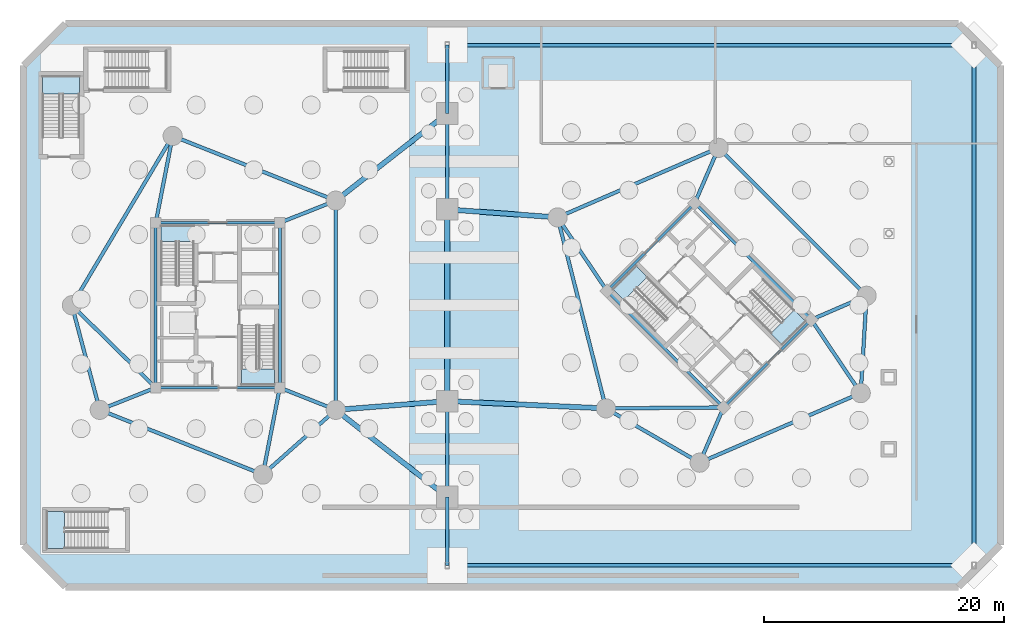
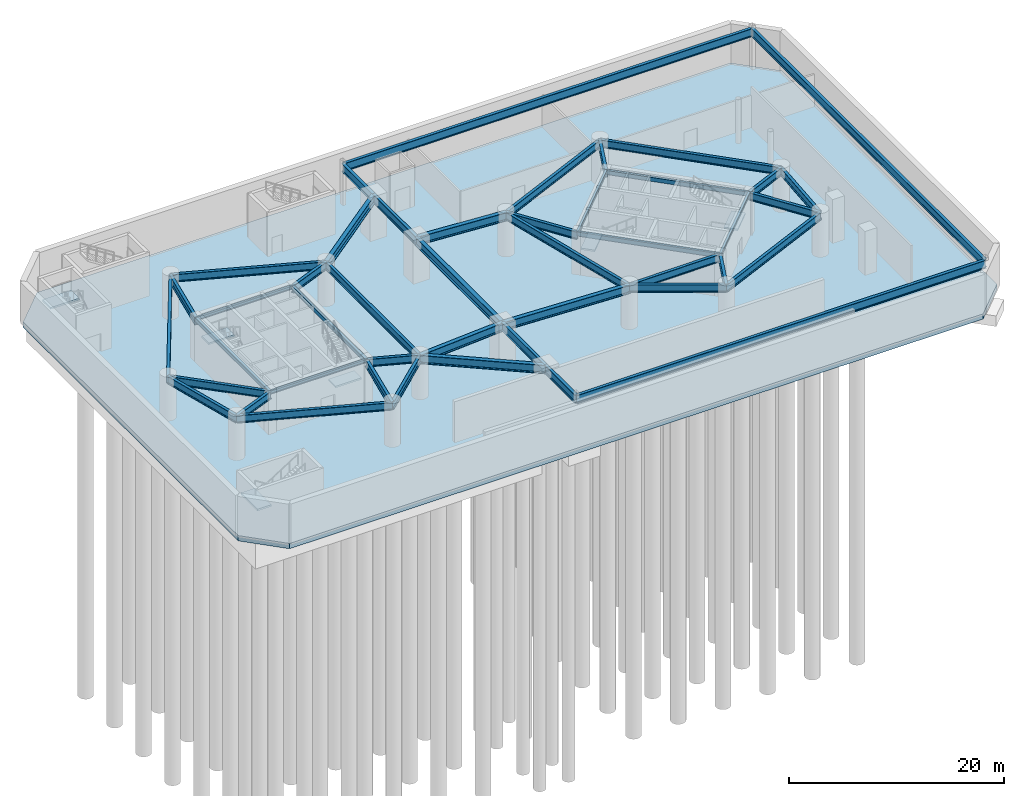
# One storey, part 4 of 15: 45 beams, 7 slabs, 6 elements without a shape of their own.
"""IFC4 building model written with IfcOpenShell, lengths in metres."""

import ifcopenshell
import ifcopenshell.guid

model = None  # the IFC model being written
_history = None  # IfcOwnerHistory: only IFC2X3 demands one
_inside = {}  # id of a spatial element -> (the spatial element, [elements in it])
_under = {}  # id of a project, library or spatial element -> (it, [spatial elements below it])
_declared = {}  # id of a project -> (the project, [libraries it declares])
_typed = {}  # id of a type object -> (the type object, [elements of that type])
_made_of = {}  # id of a material, layer set ... -> (it, [elements and type objects made of it])


def new_model(schema):
    """Start an empty IFC model of exactly this schema.

    Asked for "IFC4X3", IfcOpenShell would pick the latest addendum, in which some entities
    have other attributes; the version numbers below select the first issue.
    IFC2X3 requires an IfcOwnerHistory on every rooted entity: one is made here for all.
    """
    global model, _history
    if schema == "IFC4X3":
        model = ifcopenshell.file(schema_version=(4, 3, 0, 0))
    else:
        model = ifcopenshell.file(schema=schema)
    _inside.clear()
    _under.clear()
    _declared.clear()
    _typed.clear()
    _made_of.clear()
    _history = None
    if model.schema == "IFC2X3":
        org = make("IfcOrganization", Name="unknown")
        user = make(
            "IfcPersonAndOrganization",
            ThePerson=make("IfcPerson", FamilyName="unknown"),
            TheOrganization=org,
        )
        app = make(
            "IfcApplication",
            ApplicationDeveloper=org,
            Version="unknown",
            ApplicationFullName="unknown",
            ApplicationIdentifier="unknown",
        )
        _history = make(
            "IfcOwnerHistory",
            OwningUser=user,
            OwningApplication=app,
            ChangeAction="ADDED",
            CreationDate=0,
        )
    return model


def make(cls, **values):
    """One entity of the class cls with the attributes given. An attribute that is None is left unset."""
    return model.create_entity(
        cls, **{name: value for name, value in values.items() if value is not None}
    )


def rooted(cls, **values):
    """An entity with a GlobalId (a new one), such as an element, a storey or a relation."""
    return make(cls, GlobalId=ifcopenshell.guid.new(), OwnerHistory=_history, **values)


def si_unit(unit_type, name, prefix=None):
    """IfcSIUnit, for example si_unit("LENGTHUNIT", "METRE", prefix="MILLI")."""
    return make("IfcSIUnit", UnitType=unit_type, Prefix=prefix, Name=name)


def assignment(units):
    """IfcUnitAssignment: the units of a project."""
    return None if units is None else make("IfcUnitAssignment", Units=units)


def point(xyz):
    """IfcCartesianPoint."""
    return None if xyz is None else make("IfcCartesianPoint", Coordinates=xyz)


def direction(xyz):
    """IfcDirection."""
    return None if xyz is None else make("IfcDirection", DirectionRatios=xyz)


def frame(location, z_axis=None, x_axis=None):
    """IfcAxis2Placement3D, a coordinate frame: its origin and axes. An axis left out is left unset."""
    return make(
        "IfcAxis2Placement3D",
        Location=point(location),
        Axis=direction(z_axis),
        RefDirection=direction(x_axis),
    )


def frame_2d(location, x_axis=None):
    """IfcAxis2Placement2D, a coordinate frame in the plane: its origin and x axis."""
    return make(
        "IfcAxis2Placement2D", Location=point(location), RefDirection=direction(x_axis)
    )


def origin():
    """The frame at (0, 0, 0) with its axes left unset."""
    return frame((0.0, 0.0, 0.0))


def origin_2d():
    """The frame at (0, 0) in the plane with its x axis left unset."""
    return frame_2d((0.0, 0.0))


def place(relative_to, where):
    """IfcLocalPlacement: puts the frame where relative to a parent placement (None: the world)."""
    return make(
        "IfcLocalPlacement", PlacementRelTo=relative_to, RelativePlacement=where
    )


def context(
    kind, dimensions, precision=None, world=None, true_north=None, identifier=None
):
    """IfcGeometricRepresentationContext, for example the 3D "Model" context."""
    return make(
        "IfcGeometricRepresentationContext",
        ContextIdentifier=identifier,
        ContextType=kind,
        CoordinateSpaceDimension=dimensions,
        Precision=precision,
        WorldCoordinateSystem=world,
        TrueNorth=true_north,
    )


def subcontext(parent, identifier, kind, view, scale=None):
    """IfcGeometricRepresentationSubContext, for example "Body" below "Model"."""
    return make(
        "IfcGeometricRepresentationSubContext",
        ContextIdentifier=identifier,
        ContextType=kind,
        ParentContext=parent,
        TargetScale=scale,
        TargetView=view,
    )


def project(units=None, contexts=None):
    """IfcProject with its units and contexts."""
    return rooted(
        "IfcProject",
        Name="project",
        RepresentationContexts=contexts,
        UnitsInContext=assignment(units),
    )


def spatial(cls, under=None, at=None, **own):
    """A site, building, storey or space (cls), placed at a placement, below another one or the project."""
    s = rooted(cls, ObjectPlacement=at, **own)
    if under is not None:
        _under.setdefault(under.id(), (under, []))[1].append(s)
    return s


def polyline(points):
    """IfcPolyline through the points."""
    return make("IfcPolyline", Points=[point(p) for p in points])


def profile(cls, at=None, kind="AREA", **sizes):
    """A parametric profile (cls). Its sizes go by their IFC names, for example OverallWidth=200.0."""
    return make(cls, ProfileType=kind, Position=at, **sizes)


def hollow_rectangle(**sizes):
    """IfcRectangleHollowProfileDef."""
    return profile("IfcRectangleHollowProfileDef", **sizes)


def i_section(**sizes):
    """IfcIShapeProfileDef."""
    return profile("IfcIShapeProfileDef", **sizes)


def outline(outer, holes=None, kind="AREA"):
    """IfcArbitraryClosedProfileDef: a profile drawn as a closed curve; with holes, ...WithVoids."""
    if holes is None:
        return make("IfcArbitraryClosedProfileDef", ProfileType=kind, OuterCurve=outer)
    return make(
        "IfcArbitraryProfileDefWithVoids",
        ProfileType=kind,
        OuterCurve=outer,
        InnerCurves=holes,
    )


def extrude(swept, where, along, depth):
    """IfcExtrudedAreaSolid: the profile swept, set in the frame where, extruded along a direction by depth."""
    return make(
        "IfcExtrudedAreaSolid",
        SweptArea=swept,
        Position=where,
        ExtrudedDirection=direction(along),
        Depth=depth,
    )


def shape(context_of_items, identifier, shape_type, items):
    """IfcShapeRepresentation: the items that make up one representation, for example the "Body"."""
    return make(
        "IfcShapeRepresentation",
        ContextOfItems=context_of_items,
        RepresentationIdentifier=identifier,
        RepresentationType=shape_type,
        Items=items,
    )


def material(Name=None, Category=None):
    """IfcMaterial."""
    return make("IfcMaterial", Name=Name, Category=Category)


def layer(
    of_material, thickness, ventilated=None, Name=None, Category=None, Priority=None
):
    """IfcMaterialLayer: one layer of a wall or slab, of a material (None: an air gap)."""
    return make(
        "IfcMaterialLayer",
        Material=of_material,
        LayerThickness=thickness,
        IsVentilated=ventilated,
        Name=Name,
        Category=Category,
        Priority=Priority,
    )


def layer_set(layers, Name=None):
    """IfcMaterialLayerSet."""
    return make("IfcMaterialLayerSet", MaterialLayers=layers, LayerSetName=Name)


def material_profile(
    of_material, cross_section, Name=None, Category=None, Priority=None
):
    """IfcMaterialProfile: a cross section and its material."""
    return make(
        "IfcMaterialProfile",
        Name=Name,
        Material=of_material,
        Profile=cross_section,
        Priority=Priority,
        Category=Category,
    )


def profile_set(profiles, Name=None, composite=None):
    """IfcMaterialProfileSet."""
    return make(
        "IfcMaterialProfileSet",
        Name=Name,
        MaterialProfiles=profiles,
        CompositeProfile=composite,
    )


def made_of(thing, what):
    """Note that an element or type object is made of a material, layer set ...; save() writes the relation."""
    if what is not None:
        _made_of.setdefault(what.id(), (what, []))[1].append(thing)
    return thing


def type_object(cls, material=None, **own):
    """A type object (cls), such as IfcWallType, which elements share."""
    return made_of(rooted(cls, **own), material)


def element(
    cls,
    number,
    at=None,
    inside=None,
    cuts=None,
    type_object=None,
    material=None,
    context=None,
    identifier="Body",
    shape_type=None,
    held_by="IfcProductDefinitionShape",
    body=None,
    shapes=None,
    **own,
):
    """One element of the class cls, such as IfcWall. Its Tag is "e" and its number.

    at: its placement. inside: the storey or other place that contains it. cuts: it is an
    opening in that element (IfcRelVoidsElement). A single representation is given by context,
    identifier, shape_type and body (its items); several are given by shapes. held_by: the class
    of the entity that holds the representations. save() writes the other relations.
    """
    e = rooted(cls, Tag="e%d" % number, ObjectPlacement=at, **own)
    if body is not None:
        shapes = [shape(context, identifier, shape_type, body)]
    if shapes is not None:
        e.Representation = make(held_by, Representations=shapes)
    if inside is not None:
        _inside.setdefault(inside.id(), (inside, []))[1].append(e)
    if cuts is not None:
        rooted(
            "IfcRelVoidsElement", RelatingBuildingElement=cuts, RelatedOpeningElement=e
        )
    if type_object is not None:
        _typed.setdefault(type_object.id(), (type_object, []))[1].append(e)
    return made_of(e, material)


def aggregate(whole, parts):
    """IfcRelAggregates: a whole, such as a stair, and the parts it consists of."""
    return rooted("IfcRelAggregates", RelatingObject=whole, RelatedObjects=parts)


def save(model, path):
    """Write the relations noted so far, then the file.

    IfcRelAggregates (storeys below a building ...), IfcRelContainedInSpatialStructure (elements
    in a storey), IfcRelDefinesByType, IfcRelAssociatesMaterial and IfcRelDeclares: one each for
    every whole, place, type object, material and project.
    """
    for whole, parts in _under.values():
        aggregate(whole, parts)
    for where, things in _inside.values():
        rooted(
            "IfcRelContainedInSpatialStructure",
            RelatedElements=things,
            RelatingStructure=where,
        )
    for kind, things in _typed.values():
        rooted("IfcRelDefinesByType", RelatedObjects=things, RelatingType=kind)
    for what, things in _made_of.values():
        rooted("IfcRelAssociatesMaterial", RelatedObjects=things, RelatingMaterial=what)
    for by, libraries in _declared.values():
        rooted("IfcRelDeclares", RelatingContext=by, RelatedDefinitions=libraries)
    model.write(path)


model = new_model("IFC4")

# Units and contexts
model_context = context("Model", 3, precision=1e-05, world=origin(), true_north=direction((0.0, 1.0)))
body_context = subcontext(model_context, "Body", "Model", "MODEL_VIEW")
ifc_project = project(units=[si_unit("LENGTHUNIT", "METRE"), si_unit("AREAUNIT", "SQUARE_METRE"), si_unit("VOLUMEUNIT", "CUBIC_METRE"), si_unit("PLANEANGLEUNIT", "RADIAN"), si_unit("MASSUNIT", "GRAM", prefix="KILO")], contexts=[model_context])

# Site, building, storey
site_placement = place(None, origin())
site = spatial("IfcSite", under=ifc_project, at=site_placement, CompositionType="ELEMENT")
building_placement = place(site_placement, origin())
building = spatial("IfcBuilding", under=site, at=building_placement, Name="Cununo Teusaquillo Station Towers", CompositionType="ELEMENT")
storey_placement = place(building_placement, frame((0.0, 0.0, -10.0)))
storey = spatial("IfcBuildingStorey", under=building, at=storey_placement, Name="B02", CompositionType="ELEMENT", Elevation=-10.0)

# Beams
ifc_material_1 = material(Name="Steel EN 10025-2 S355J2", Category="steel")
ifc_material_profile_1 = material_profile(ifc_material_1, hollow_rectangle(XDim=0.25, YDim=0.449951171875, WallThickness=0.01611328125, at=origin_2d()), Name="RHS 450x250x16")
ifc_profile_set_1 = profile_set([ifc_material_profile_1], Name="Steel EN 10025-2 S355J2")
beam_type_1 = type_object("IfcBeamType", Name="BM-COUP-1", PredefinedType="USERDEFINED", material=ifc_profile_set_1)
for number, where, z_axis, x_axis, name in (
    (1, (11.324951171875, 17.6201171875, 4.43505859375), (0.0, 1.0, 0.0), (-1.0, 0.0, 0.0), "B02 Tower A Core Beam 1"),
    (2, (21.675048828125, 17.6201171875, 4.43505859375), (0.0, 1.0, 0.0), (-1.0, 0.0, 0.0), "B02 Tower A Core Beam 2"),
):
    element("IfcBeam", number, at=place(storey_placement, frame(where, z_axis=z_axis, x_axis=x_axis)), inside=storey, type_object=beam_type_1, Name=name, ObjectType="COUPLING BEAM", PredefinedType="USERDEFINED", context=body_context, shape_type="SweptSolid", body=[
        extrude(hollow_rectangle(XDim=0.25, YDim=0.449951171875, WallThickness=0.01611328125, at=origin_2d()), origin(), (0.0, 0.0, 1.0), 13.759765625),
    ])
for number, where, z_axis, x_axis, name in (
    (3, (58.70556640625, 15.975830078125, 4.43505859375), (-0.707106781187, 0.707106781187, 0.0), (-0.707106781187, -0.707106781187, 0.0), "B02 Tower B Core Beam 1"),
    (4, (66.024169921875, 23.29443359375, 4.43505859375), (-0.707106781187, 0.707106781187, 0.0), (-0.707106781187, -0.707106781187, 0.0), "B02 Tower B Core Beam 2"),
):
    element("IfcBeam", number, at=place(storey_placement, frame(where, z_axis=z_axis, x_axis=x_axis)), inside=storey, type_object=beam_type_1, Name=name, ObjectType="COUPLING BEAM", PredefinedType="USERDEFINED", context=body_context, shape_type="SweptSolid", body=[
        extrude(hollow_rectangle(XDim=0.25, YDim=0.449951171875, WallThickness=0.01611328125, at=origin_2d()), origin(), (0.0, 0.0, 1.0), 13.760009765625),
    ])
ifc_material_2 = material(Name="Steel ASTM A572 Grade 50", Category="steel")
ifc_material_profile_2 = material_profile(ifc_material_2, i_section(OverallWidth=0.2041015625, OverallDepth=0.35009765625, WebThickness=0.008544921875, FlangeThickness=0.01513671875, FilletRadius=0.011962890625, at=origin_2d()), Name="W14X48")
ifc_profile_set_2 = profile_set([ifc_material_profile_2], Name="Steel ASTM A572 Grade 50")
beam_type_2 = type_object("IfcBeamType", Name="BM-LINTEL-1", PredefinedType="LINTEL", material=ifc_profile_set_2)
for number, where, z_axis, x_axis, name in (
    (5, (11.324951171875, 17.6201171875, 4.485107421875), (1.0, 0.0, 0.0), (0.0, 1.0, 0.0), "B02 Tower A Core Beam 3"),
    (6, (11.324951171875, 31.3798828125, 4.485107421875), (1.0, 0.0, 0.0), (0.0, 1.0, 0.0), "B02 Tower A Core Beam 4"),
    (7, (58.70556640625, 15.975830078125, 4.485107421875), (0.707106781187, 0.707106781187, 0.0), (-0.707106781187, 0.707106781187, 0.0), "B02 Tower B Core Beam 3"),
    (8, (48.975830078125, 25.70556640625, 4.485107421875), (0.707106781187, 0.707106781187, 0.0), (-0.707106781187, 0.707106781187, 0.0), "B02 Tower B Core Beam 4"),
):
    element("IfcBeam", number, at=place(storey_placement, frame(where, z_axis=z_axis, x_axis=x_axis)), inside=storey, type_object=beam_type_2, Name=name, PredefinedType="LINTEL", context=body_context, shape_type="SweptSolid", body=[
        extrude(i_section(OverallWidth=0.2041015625, OverallDepth=0.35009765625, WebThickness=0.008544921875, FlangeThickness=0.01513671875, FilletRadius=0.011962890625, at=origin_2d()), origin(), (0.0, 0.0, 1.0), 10.35009765625),
    ])
ifc_material_3 = material(Name="Steel ASTM A572 Grade 50", Category="steel")
ifc_material_profile_3 = material_profile(ifc_material_3, i_section(OverallWidth=0.299072265625, OverallDepth=0.85595703125, WebThickness=0.018310546875, FlangeThickness=0.03564453125, FilletRadius=0.02001953125, at=origin_2d()), Name="W33X201")
ifc_profile_set_3 = profile_set([ifc_material_profile_3], Name="Steel ASTM A572 Grade 50")
beam_type_3 = type_object("IfcBeamType", Name="BM-POD-G3", PredefinedType="BEAM", material=ifc_profile_set_3)
beam_1_placement = place(storey_placement, frame((26.347412109375, 33.228515625, 4.23193359375), z_axis=(-0.929621249939, 0.368516392664, 0.0), x_axis=(-0.368516392664, -0.929621249939, 0.0)))
element("IfcBeam", 9, at=beam_1_placement, inside=storey, type_object=beam_type_3, Name="B02 Tower A Podium Perimeter Girder 1", PredefinedType="BEAM", context=body_context, shape_type="SweptSolid", body=[
    extrude(i_section(OverallWidth=0.299072265625, OverallDepth=0.85595703125, WebThickness=0.018310546875, FlangeThickness=0.03564453125, FilletRadius=0.02001953125, at=origin_2d()), origin(), (0.0, 0.0, 1.0), 14.63916015625),
])
beam_2_placement = place(storey_placement, frame((12.738525390625, 38.623291015625, 4.23193359375), z_axis=(-0.511660099054, -0.859187955593, 0.0), x_axis=(0.859187955593, -0.511660099054, 0.0)))
element("IfcBeam", 10, at=beam_2_placement, inside=storey, type_object=beam_type_3, Name="B02 Tower A Podium Perimeter Girder 2", PredefinedType="BEAM", context=body_context, shape_type="SweptSolid", body=[
    extrude(i_section(OverallWidth=0.299072265625, OverallDepth=0.85595703125, WebThickness=0.018310546875, FlangeThickness=0.03564453125, FilletRadius=0.02001953125, at=origin_2d()), origin(), (0.0, 0.0, 1.0), 16.43798828125),
])
beam_3_placement = place(storey_placement, frame((4.327880859375, 24.5, 4.23193359375), z_axis=(0.257363196347, -0.966314744359, 0.0), x_axis=(0.966314744359, 0.257363196347, 0.0)))
element("IfcBeam", 11, at=beam_3_placement, inside=storey, type_object=beam_type_3, Name="B02 Tower A Podium Perimeter Girder 3", PredefinedType="BEAM", context=body_context, shape_type="SweptSolid", body=[
    extrude(i_section(OverallWidth=0.299072265625, OverallDepth=0.85595703125, WebThickness=0.018310546875, FlangeThickness=0.03564453125, FilletRadius=0.02001953125, at=origin_2d()), origin(), (0.0, 0.0, 1.0), 9.03271484375),
])
beam_4_placement = place(storey_placement, frame((6.652587890625, 15.771484375, 4.23193359375), z_axis=(0.929621249939, -0.368516392664, 0.0), x_axis=(0.368516392664, 0.929621249939, 0.0)))
element("IfcBeam", 12, at=beam_4_placement, inside=storey, type_object=beam_type_3, Name="B02 Tower A Podium Perimeter Girder 4", PredefinedType="BEAM", context=body_context, shape_type="SweptSolid", body=[
    extrude(i_section(OverallWidth=0.299072265625, OverallDepth=0.85595703125, WebThickness=0.018310546875, FlangeThickness=0.03564453125, FilletRadius=0.02001953125, at=origin_2d()), origin(), (0.0, 0.0, 1.0), 14.63916015625),
])
beam_5_placement = place(storey_placement, frame((20.261474609375, 10.376708984375, 4.23193359375), z_axis=(0.74832120039, 0.66333655187, 0.0), x_axis=(-0.66333655187, 0.74832120039, 0.0)))
element("IfcBeam", 13, at=beam_5_placement, inside=storey, type_object=beam_type_3, Name="B02 Tower A Podium Perimeter Girder 5", PredefinedType="BEAM", context=body_context, shape_type="SweptSolid", body=[
    extrude(i_section(OverallWidth=0.299072265625, OverallDepth=0.85595703125, WebThickness=0.018310546875, FlangeThickness=0.03564453125, FilletRadius=0.02001953125, at=origin_2d()), origin(), (0.0, 0.0, 1.0), 8.1328125),
])
beam_6_placement = place(storey_placement, frame((26.347412109375, 15.771484375, 4.23193359375), z_axis=(0.0, 1.0, 0.0), x_axis=(-1.0, 0.0, 0.0)))
element("IfcBeam", 14, at=beam_6_placement, inside=storey, type_object=beam_type_3, Name="B02 Tower A Podium Perimeter Girder 6", PredefinedType="BEAM", context=body_context, shape_type="SweptSolid", body=[
    extrude(i_section(OverallWidth=0.299072265625, OverallDepth=0.85595703125, WebThickness=0.018310546875, FlangeThickness=0.03564453125, FilletRadius=0.02001953125, at=origin_2d()), origin(), (0.0, 0.0, 1.0), 17.45703125),
])
beam_7_placement = place(storey_placement, frame((21.675048828125, 31.3798828125, 4.23193359375), z_axis=(0.929864104313, 0.367903176814, 0.0), x_axis=(-0.367903176814, 0.929864104313, 0.0)))
element("IfcBeam", 15, at=beam_7_placement, inside=storey, type_object=beam_type_3, Name="B02 Tower A Podium Radial Girder 1", PredefinedType="BEAM", context=body_context, shape_type="SweptSolid", body=[
    extrude(i_section(OverallWidth=0.299072265625, OverallDepth=0.85595703125, WebThickness=0.018310546875, FlangeThickness=0.03564453125, FilletRadius=0.02001953125, at=origin_2d()), origin(), (0.0, 0.0, 1.0), 5.02490234375),
])
beam_8_placement = place(storey_placement, frame((11.324951171875, 31.3798828125, 4.23193359375), z_axis=(0.191539895403, 0.981484828446, 0.0), x_axis=(-0.981484828446, 0.191539895403, 0.0)))
element("IfcBeam", 16, at=beam_8_placement, inside=storey, type_object=beam_type_3, Name="B02 Tower A Podium Radial Girder 2", PredefinedType="BEAM", context=body_context, shape_type="SweptSolid", body=[
    extrude(i_section(OverallWidth=0.299072265625, OverallDepth=0.85595703125, WebThickness=0.018310546875, FlangeThickness=0.03564453125, FilletRadius=0.02001953125, at=origin_2d()), origin(), (0.0, 0.0, 1.0), 7.380126953125),
])
beam_9_placement = place(storey_placement, frame((11.324951171875, 17.6201171875, 4.23193359375), z_axis=(-0.713052701438, 0.701110437073, 0.0), x_axis=(-0.701110437073, -0.713052701438, 0.0)))
element("IfcBeam", 17, at=beam_9_placement, inside=storey, type_object=beam_type_3, Name="B02 Tower A Podium Radial Girder 3", PredefinedType="BEAM", context=body_context, shape_type="SweptSolid", body=[
    extrude(i_section(OverallWidth=0.299072265625, OverallDepth=0.85595703125, WebThickness=0.018310546875, FlangeThickness=0.03564453125, FilletRadius=0.02001953125, at=origin_2d()), origin(), (0.0, 0.0, 1.0), 9.812744140625),
])
beam_10_placement = place(storey_placement, frame((11.324951171875, 17.6201171875, 4.23193359375), z_axis=(-0.929864104313, -0.367903176814, 0.0), x_axis=(0.367903176814, -0.929864104313, 0.0)))
element("IfcBeam", 18, at=beam_10_placement, inside=storey, type_object=beam_type_3, Name="B02 Tower A Podium Radial Girder 4", PredefinedType="BEAM", context=body_context, shape_type="SweptSolid", body=[
    extrude(i_section(OverallWidth=0.299072265625, OverallDepth=0.85595703125, WebThickness=0.018310546875, FlangeThickness=0.03564453125, FilletRadius=0.02001953125, at=origin_2d()), origin(), (0.0, 0.0, 1.0), 5.02490234375),
])
beam_11_placement = place(storey_placement, frame((21.675048828125, 17.6201171875, 4.23193359375), z_axis=(-0.191539895403, -0.981484828446, 0.0), x_axis=(0.981484828446, -0.191539895403, 0.0)))
element("IfcBeam", 19, at=beam_11_placement, inside=storey, type_object=beam_type_3, Name="B02 Tower A Podium Radial Girder 5", PredefinedType="BEAM", context=body_context, shape_type="SweptSolid", body=[
    extrude(i_section(OverallWidth=0.299072265625, OverallDepth=0.85595703125, WebThickness=0.018310546875, FlangeThickness=0.03564453125, FilletRadius=0.02001953125, at=origin_2d()), origin(), (0.0, 0.0, 1.0), 7.380126953125),
])
beam_12_placement = place(storey_placement, frame((21.675048828125, 17.6201171875, 4.23193359375), z_axis=(0.929864104313, -0.367903176814, 0.0), x_axis=(0.367903176814, 0.929864104313, 0.0)))
element("IfcBeam", 20, at=beam_12_placement, inside=storey, type_object=beam_type_3, Name="B02 Tower A Podium Radial Girder 6", PredefinedType="BEAM", context=body_context, shape_type="SweptSolid", body=[
    extrude(i_section(OverallWidth=0.299072265625, OverallDepth=0.85595703125, WebThickness=0.018310546875, FlangeThickness=0.03564453125, FilletRadius=0.02001953125, at=origin_2d()), origin(), (0.0, 0.0, 1.0), 5.02490234375),
])
beam_13_placement = place(storey_placement, frame((58.291015625, 37.63525390625, 4.23193359375), z_axis=(-0.917915648818, -0.396775580971, 0.0), x_axis=(0.396775580971, -0.917915648818, 0.0)))
element("IfcBeam", 21, at=beam_13_placement, inside=storey, type_object=beam_type_3, Name="B02 Tower B Podium Perimeter Girder 1", PredefinedType="BEAM", context=body_context, shape_type="SweptSolid", body=[
    extrude(i_section(OverallWidth=0.299072265625, OverallDepth=0.85595703125, WebThickness=0.018310546875, FlangeThickness=0.03564453125, FilletRadius=0.02001953125, at=origin_2d()), origin(), (0.0, 0.0, 1.0), 14.638916015625),
])
beam_14_placement = place(storey_placement, frame((44.853759765625, 31.826904296875, 4.23193359375), z_axis=(0.245731928557, -0.969337825161, 0.0), x_axis=(0.969337825161, 0.245731928557, 0.0)))
element("IfcBeam", 22, at=beam_14_placement, inside=storey, type_object=beam_type_3, Name="B02 Tower B Podium Perimeter Girder 2", PredefinedType="BEAM", context=body_context, shape_type="SweptSolid", body=[
    extrude(i_section(OverallWidth=0.299072265625, OverallDepth=0.85595703125, WebThickness=0.018310546875, FlangeThickness=0.03564453125, FilletRadius=0.02001953125, at=origin_2d()), origin(), (0.0, 0.0, 1.0), 16.437744140625),
])
beam_15_placement = place(storey_placement, frame((48.89306640625, 15.89306640625, 4.23193359375), z_axis=(0.865267103202, -0.501311121078, 0.0), x_axis=(0.501311121078, 0.865267103202, 0.0)))
element("IfcBeam", 23, at=beam_15_placement, inside=storey, type_object=beam_type_3, Name="B02 Tower B Podium Perimeter Girder 3", PredefinedType="BEAM", context=body_context, shape_type="SweptSolid", body=[
    extrude(i_section(OverallWidth=0.299072265625, OverallDepth=0.85595703125, WebThickness=0.018310546875, FlangeThickness=0.03564453125, FilletRadius=0.02001953125, at=origin_2d()), origin(), (0.0, 0.0, 1.0), 9.032958984375),
])
beam_16_placement = place(storey_placement, frame((56.708984375, 11.36474609375, 4.23193359375), z_axis=(0.917915648818, 0.396775580971, 0.0), x_axis=(-0.396775580971, 0.917915648818, 0.0)))
element("IfcBeam", 24, at=beam_16_placement, inside=storey, type_object=beam_type_3, Name="B02 Tower B Podium Perimeter Girder 4", PredefinedType="BEAM", context=body_context, shape_type="SweptSolid", body=[
    extrude(i_section(OverallWidth=0.299072265625, OverallDepth=0.85595703125, WebThickness=0.018310546875, FlangeThickness=0.03564453125, FilletRadius=0.02001953125, at=origin_2d()), origin(), (0.0, 0.0, 1.0), 14.638916015625),
])
beam_17_placement = place(storey_placement, frame((70.146240234375, 17.173095703125, 4.23193359375), z_axis=(0.06012979176, 0.998190567048, 0.0), x_axis=(-0.998190567048, 0.06012979176, 0.0)))
element("IfcBeam", 25, at=beam_17_placement, inside=storey, type_object=beam_type_3, Name="B02 Tower B Podium Perimeter Girder 5", PredefinedType="BEAM", context=body_context, shape_type="SweptSolid", body=[
    extrude(i_section(OverallWidth=0.299072265625, OverallDepth=0.85595703125, WebThickness=0.018310546875, FlangeThickness=0.03564453125, FilletRadius=0.02001953125, at=origin_2d()), origin(), (0.0, 0.0, 1.0), 8.132568359375),
])
beam_18_placement = place(storey_placement, frame((70.63525390625, 25.291015625, 4.23193359375), z_axis=(-0.707106781187, 0.707106781187, 0.0), x_axis=(-0.707106781187, -0.707106781187, 0.0)))
element("IfcBeam", 26, at=beam_18_placement, inside=storey, type_object=beam_type_3, Name="B02 Tower B Podium Perimeter Girder 6", PredefinedType="BEAM", context=body_context, shape_type="SweptSolid", body=[
    extrude(i_section(OverallWidth=0.299072265625, OverallDepth=0.85595703125, WebThickness=0.018310546875, FlangeThickness=0.03564453125, FilletRadius=0.02001953125, at=origin_2d()), origin(), (0.0, 0.0, 1.0), 17.457275390625),
])
beam_19_placement = place(storey_placement, frame((56.29443359375, 33.024169921875, 4.23193359375), z_axis=(0.397346986387, 0.917668443616, 0.0), x_axis=(-0.917668443616, 0.397346986387, 0.0)))
element("IfcBeam", 27, at=beam_19_placement, inside=storey, type_object=beam_type_3, Name="B02 Tower B Podium Radial Girder 1", PredefinedType="BEAM", context=body_context, shape_type="SweptSolid", body=[
    extrude(i_section(OverallWidth=0.299072265625, OverallDepth=0.85595703125, WebThickness=0.018310546875, FlangeThickness=0.03564453125, FilletRadius=0.02001953125, at=origin_2d()), origin(), (0.0, 0.0, 1.0), 5.02490234375),
])
beam_20_placement = place(storey_placement, frame((48.975830078125, 25.70556640625, 4.23193359375), z_axis=(-0.558557182486, 0.829466017323, 0.0), x_axis=(-0.829466017323, -0.558557182486, 0.0)))
element("IfcBeam", 28, at=beam_20_placement, inside=storey, type_object=beam_type_3, Name="B02 Tower B Podium Radial Girder 2", PredefinedType="BEAM", context=body_context, shape_type="SweptSolid", body=[
    extrude(i_section(OverallWidth=0.299072265625, OverallDepth=0.85595703125, WebThickness=0.018310546875, FlangeThickness=0.03564453125, FilletRadius=0.02001953125, at=origin_2d()), origin(), (0.0, 0.0, 1.0), 7.3798828125),
])
beam_21_placement = place(storey_placement, frame((58.70556640625, 15.975830078125, 4.23193359375), z_axis=(-0.999964431382, -0.008434214327, 0.0), x_axis=(0.008434214327, -0.999964431382, 0.0)))
element("IfcBeam", 29, at=beam_21_placement, inside=storey, type_object=beam_type_3, Name="B02 Tower B Podium Radial Girder 3", PredefinedType="BEAM", context=body_context, shape_type="SweptSolid", body=[
    extrude(i_section(OverallWidth=0.299072265625, OverallDepth=0.85595703125, WebThickness=0.018310546875, FlangeThickness=0.03564453125, FilletRadius=0.02001953125, at=origin_2d()), origin(), (0.0, 0.0, 1.0), 9.812744140625),
])
beam_22_placement = place(storey_placement, frame((58.70556640625, 15.975830078125, 4.23193359375), z_axis=(-0.397346986387, -0.917668443616, 0.0), x_axis=(0.917668443616, -0.397346986387, 0.0)))
element("IfcBeam", 30, at=beam_22_placement, inside=storey, type_object=beam_type_3, Name="B02 Tower B Podium Radial Girder 4", PredefinedType="BEAM", context=body_context, shape_type="SweptSolid", body=[
    extrude(i_section(OverallWidth=0.299072265625, OverallDepth=0.85595703125, WebThickness=0.018310546875, FlangeThickness=0.03564453125, FilletRadius=0.02001953125, at=origin_2d()), origin(), (0.0, 0.0, 1.0), 5.02490234375),
])
beam_23_placement = place(storey_placement, frame((66.024169921875, 23.29443359375, 4.23193359375), z_axis=(0.558557182486, -0.829466017323, 0.0), x_axis=(0.829466017323, 0.558557182486, 0.0)))
element("IfcBeam", 31, at=beam_23_placement, inside=storey, type_object=beam_type_3, Name="B02 Tower B Podium Radial Girder 5", PredefinedType="BEAM", context=body_context, shape_type="SweptSolid", body=[
    extrude(i_section(OverallWidth=0.299072265625, OverallDepth=0.85595703125, WebThickness=0.018310546875, FlangeThickness=0.03564453125, FilletRadius=0.02001953125, at=origin_2d()), origin(), (0.0, 0.0, 1.0), 7.3798828125),
])
beam_24_placement = place(storey_placement, frame((66.024169921875, 23.29443359375, 4.23193359375), z_axis=(0.917668443616, 0.397346986387, 0.0), x_axis=(-0.397346986387, 0.917668443616, 0.0)))
element("IfcBeam", 32, at=beam_24_placement, inside=storey, type_object=beam_type_3, Name="B02 Tower B Podium Radial Girder 6", PredefinedType="BEAM", context=body_context, shape_type="SweptSolid", body=[
    extrude(i_section(OverallWidth=0.299072265625, OverallDepth=0.85595703125, WebThickness=0.018310546875, FlangeThickness=0.03564453125, FilletRadius=0.02001953125, at=origin_2d()), origin(), (0.0, 0.0, 1.0), 5.02490234375),
])
ifc_material_4 = material(Name="Steel ASTM A572 Grade 50", Category="steel")
ifc_material_profile_4 = material_profile(ifc_material_4, i_section(OverallWidth=0.30810546875, OverallDepth=0.943115234375, WebThickness=0.022216796875, FlangeThickness=0.039794921875, FilletRadius=0.02392578125, at=origin_2d()), Name="W36X232")
ifc_profile_set_4 = profile_set([ifc_material_profile_4], Name="Steel ASTM A572 Grade 50")
beam_type_4 = type_object("IfcBeamType", Name="BM-POD-SEC", PredefinedType="BEAM", material=ifc_profile_set_4)
beam_25_placement = place(storey_placement, frame((35.64990234375, 2.800048828125, 4.1884765625), z_axis=(0.0, 1.0, 0.0), x_axis=(-1.0, 0.0, 0.0)))
element("IfcBeam", 33, at=beam_25_placement, inside=storey, type_object=beam_type_4, Name="B02 Station Podium Girder NS-1", PredefinedType="BEAM", context=body_context, shape_type="SweptSolid", body=[
    extrude(i_section(OverallWidth=0.30810546875, OverallDepth=0.943115234375, WebThickness=0.022216796875, FlangeThickness=0.039794921875, FilletRadius=0.02392578125, at=origin_2d()), origin(), (0.0, 0.0, 1.0), 5.699951171875),
])
for number, where, z_axis, x_axis, name in (
    (34, (35.64990234375, 8.5, 4.1884765625), (0.0, 1.0, 0.0), (-1.0, 0.0, 0.0), "B02 Station Podium Girder NS-2"),
    (35, (35.64990234375, 32.5, 4.1884765625), (0.0, 1.0, 0.0), (-1.0, 0.0, 0.0), "B02 Station Podium Girder NS-3"),
):
    element("IfcBeam", number, at=place(storey_placement, frame(where, z_axis=z_axis, x_axis=x_axis)), inside=storey, type_object=beam_type_4, Name=name, PredefinedType="BEAM", context=body_context, shape_type="SweptSolid", body=[
        extrude(i_section(OverallWidth=0.30810546875, OverallDepth=0.943115234375, WebThickness=0.022216796875, FlangeThickness=0.039794921875, FilletRadius=0.02392578125, at=origin_2d()), origin(), (0.0, 0.0, 1.0), 8.0),
    ])
beam_26_placement = place(storey_placement, frame((35.64990234375, 40.5, 4.1884765625), z_axis=(0.0, 1.0, 0.0), x_axis=(-1.0, 0.0, 0.0)))
element("IfcBeam", 36, at=beam_26_placement, inside=storey, type_object=beam_type_4, Name="B02 Station Podium Girder NS-4", PredefinedType="BEAM", context=body_context, shape_type="SweptSolid", body=[
    extrude(i_section(OverallWidth=0.30810546875, OverallDepth=0.943115234375, WebThickness=0.022216796875, FlangeThickness=0.039794921875, FilletRadius=0.02392578125, at=origin_2d()), origin(), (0.0, 0.0, 1.0), 5.699951171875),
])
beam_27_placement = place(storey_placement, frame((35.64990234375, 46.199951171875, 4.1884765625), z_axis=(1.0, 0.0, 0.0), x_axis=(0.0, 1.0, 0.0)))
element("IfcBeam", 37, at=beam_27_placement, inside=storey, type_object=beam_type_4, Name="B02 Station Podium Girder CAN-N", PredefinedType="BEAM", context=body_context, shape_type="SweptSolid", body=[
    extrude(i_section(OverallWidth=0.30810546875, OverallDepth=0.943115234375, WebThickness=0.022216796875, FlangeThickness=0.039794921875, FilletRadius=0.02392578125, at=origin_2d()), origin(), (0.0, 0.0, 1.0), 43.9501953125),
])
beam_28_placement = place(storey_placement, frame((79.60009765625, 2.800048828125, 4.1884765625), z_axis=(0.0, 1.0, 0.0), x_axis=(-1.0, 0.0, 0.0)))
element("IfcBeam", 38, at=beam_28_placement, inside=storey, type_object=beam_type_4, Name="B02 Station Podium Girder CAN-E", PredefinedType="BEAM", context=body_context, shape_type="SweptSolid", body=[
    extrude(i_section(OverallWidth=0.30810546875, OverallDepth=0.943115234375, WebThickness=0.022216796875, FlangeThickness=0.039794921875, FilletRadius=0.02392578125, at=origin_2d()), origin(), (0.0, 0.0, 1.0), 43.39990234375),
])
beam_29_placement = place(storey_placement, frame((35.64990234375, 2.800048828125, 4.1884765625), z_axis=(1.0, 0.0, 0.0), x_axis=(0.0, 1.0, 0.0)))
element("IfcBeam", 39, at=beam_29_placement, inside=storey, type_object=beam_type_4, Name="B02 Station Podium Girder CAN-S", PredefinedType="BEAM", context=body_context, shape_type="SweptSolid", body=[
    extrude(i_section(OverallWidth=0.30810546875, OverallDepth=0.943115234375, WebThickness=0.022216796875, FlangeThickness=0.039794921875, FilletRadius=0.02392578125, at=origin_2d()), origin(), (0.0, 0.0, 1.0), 43.9501953125),
])
ifc_material_5 = material(Name="Steel ASTM A572 Grade 50", Category="steel")
ifc_material_profile_5 = material_profile(ifc_material_5, i_section(OverallWidth=0.423095703125, OverallDepth=0.947998046875, WebThickness=0.02392578125, FlangeThickness=0.042724609375, FilletRadius=0.02392578125, at=origin_2d()), Name="W36X302")
ifc_profile_set_5 = profile_set([ifc_material_profile_5], Name="Steel ASTM A572 Grade 50")
beam_type_5 = type_object("IfcBeamType", Name="BM-POD-SPAN", PredefinedType="BEAM", material=ifc_profile_set_5)
beam_30_placement = place(storey_placement, frame((35.64990234375, 16.5, 4.18603515625), z_axis=(0.0, 1.0, 0.0), x_axis=(-1.0, 0.0, 0.0)))
element("IfcBeam", 40, at=beam_30_placement, inside=storey, type_object=beam_type_5, Name="B02 Station Podium Girder NS-HALL", PredefinedType="BEAM", context=body_context, shape_type="SweptSolid", body=[
    extrude(i_section(OverallWidth=0.423095703125, OverallDepth=0.947998046875, WebThickness=0.02392578125, FlangeThickness=0.042724609375, FilletRadius=0.02392578125, at=origin_2d()), origin(), (0.0, 0.0, 1.0), 16.0),
])
for number, where, z_axis, x_axis, name in (
    (41, (26.347412109375, 33.228515625, 4.18603515625), (0.787863531103, 0.615849865112, 0.0), (-0.615849865112, 0.787863531103, 0.0), "B02 Station Podium Girder EW-N"),
    (42, (26.347412109375, 15.771484375, 4.18603515625), (0.787863531103, -0.615849865112, 0.0), (0.615849865112, 0.787863531103, 0.0), "B02 Station Podium Girder EW-S"),
):
    element("IfcBeam", number, at=place(storey_placement, frame(where, z_axis=z_axis, x_axis=x_axis)), inside=storey, type_object=beam_type_5, Name=name, PredefinedType="BEAM", context=body_context, shape_type="SweptSolid", body=[
        extrude(i_section(OverallWidth=0.423095703125, OverallDepth=0.947998046875, WebThickness=0.02392578125, FlangeThickness=0.042724609375, FilletRadius=0.02392578125, at=origin_2d()), origin(), (0.0, 0.0, 1.0), 11.80712890625),
    ])
beam_31_placement = place(storey_placement, frame((26.347412109375, 15.771484375, 4.18603515625), z_axis=(0.996947489132, 0.078074989045, 0.0), x_axis=(-0.078074989045, 0.996947489132, 0.0)))
element("IfcBeam", 43, at=beam_31_placement, inside=storey, type_object=beam_type_5, Name="B02 Station Podium Girder EW-M1", PredefinedType="BEAM", context=body_context, shape_type="SweptSolid", body=[
    extrude(i_section(OverallWidth=0.423095703125, OverallDepth=0.947998046875, WebThickness=0.02392578125, FlangeThickness=0.042724609375, FilletRadius=0.02392578125, at=origin_2d()), origin(), (0.0, 0.0, 1.0), 9.3310546875),
])
beam_32_placement = place(storey_placement, frame((35.64990234375, 32.5, 4.18603515625), z_axis=(0.997336540567, -0.072937129429, 0.0), x_axis=(0.072937129429, 0.997336540567, 0.0)))
element("IfcBeam", 44, at=beam_32_placement, inside=storey, type_object=beam_type_5, Name="B02 Station Podium Girder EW-M2", PredefinedType="BEAM", context=body_context, shape_type="SweptSolid", body=[
    extrude(i_section(OverallWidth=0.423095703125, OverallDepth=0.947998046875, WebThickness=0.02392578125, FlangeThickness=0.042724609375, FilletRadius=0.02392578125, at=origin_2d()), origin(), (0.0, 0.0, 1.0), 9.228515625),
])
beam_33_placement = place(storey_placement, frame((35.64990234375, 16.5, 4.18603515625), z_axis=(0.998951459145, -0.045781898965, 0.0), x_axis=(0.045781898965, 0.998951459145, 0.0)))
element("IfcBeam", 45, at=beam_33_placement, inside=storey, type_object=beam_type_5, Name="B02 Station Podium Girder EW-M3", PredefinedType="BEAM", context=body_context, shape_type="SweptSolid", body=[
    extrude(i_section(OverallWidth=0.423095703125, OverallDepth=0.947998046875, WebThickness=0.02392578125, FlangeThickness=0.042724609375, FilletRadius=0.02392578125, at=origin_2d()), origin(), (0.0, 0.0, 1.0), 13.257080078125),
])

# Slab
ifc_material_6 = material(Name="Concrete C50/60", Category="concrete")
ifc_layer_1 = layer(ifc_material_6, 0.60009765625)
ifc_layer_set_1 = layer_set([ifc_layer_1], Name="Concrete C50/60")
slab_type_1 = type_object("IfcSlabType", Name="SLB-BASE-600", PredefinedType="BASESLAB", material=ifc_layer_set_1)
slab_1_placement = place(storey_placement, frame((0.0, 0.0, -0.60009765625)))
element("IfcSlab", 46, at=slab_1_placement, inside=storey, type_object=slab_type_1, Name="B02 Structural Slab", PredefinedType="BASESLAB", context=body_context, shape_type="SweptSolid", body=[
    extrude(outline(polyline([(3.800048828125, 1.0), (78.300048828125, 1.0), (81.800048828125, 4.5), (81.800048828125, 44.5), (78.300048828125, 48.0), (3.800048828125, 48.0), (0.300048828125, 44.5), (0.300048828125, 4.5), (3.800048828125, 1.0)])), origin(), (0.0, 0.0, 1.0), 0.60009765625),
])

# Stair, slab
ifc_material_7 = material(Name="Concrete C50/60", Category="concrete")
stair_type_1 = type_object("IfcStairType", Name="ST-TWR-1300", PredefinedType="HALF_TURN_STAIR", material=ifc_material_7)
stair_1_placement = place(storey_placement, origin())
stair_1 = element("IfcStair", 47, at=stair_1_placement, inside=storey, type_object=stair_type_1, Name="B02 Tower A Protected Core Exit Stair 1", PredefinedType="HALF_TURN_STAIR")
ifc_material_8 = material(Name="Concrete C50/60", Category="concrete")
ifc_layer_2 = layer(ifc_material_8, 0.199951171875)
ifc_layer_set_2 = layer_set([ifc_layer_2], Name="Concrete C50/60")
slab_type_2 = type_object("IfcSlabType", Name="SLB-STAIR-LND", PredefinedType="LANDING", material=ifc_layer_set_2)
slab_2_placement = place(storey_placement, frame((0.0, 0.0, 2.300048828125)))
slab_2 = element("IfcSlab", 48, at=slab_2_placement, type_object=slab_type_2, Name="ST-T1-1 landing 1", PredefinedType="LANDING", context=body_context, shape_type="SweptSolid", body=[
    extrude(outline(polyline([(14.52001953125, 29.81005859375), (14.52001953125, 31.159912109375), (11.760009765625, 31.159912109375), (11.760009765625, 29.81005859375), (14.52001953125, 29.81005859375)])), origin(), (0.0, 0.0, 1.0), 0.199951171875),
])
aggregate(stair_1, [slab_2])

stair_2_placement = place(storey_placement, origin())
stair_2 = element("IfcStair", 49, at=stair_2_placement, inside=storey, type_object=stair_type_1, Name="B02 Tower A Protected Core Exit Stair 2", PredefinedType="HALF_TURN_STAIR")
slab_3_placement = place(storey_placement, frame((0.0, 0.0, 2.300048828125)))
slab_3 = element("IfcSlab", 50, at=slab_3_placement, type_object=slab_type_2, Name="ST-T1-2 landing 1", PredefinedType="LANDING", context=body_context, shape_type="SweptSolid", body=[
    extrude(outline(polyline([(18.47998046875, 19.18994140625), (18.47998046875, 17.840087890625), (21.239990234375, 17.840087890625), (21.239990234375, 19.18994140625), (18.47998046875, 19.18994140625)])), origin(), (0.0, 0.0, 1.0), 0.199951171875),
])
aggregate(stair_2, [slab_3])

stair_3_placement = place(storey_placement, origin())
stair_3 = element("IfcStair", 51, at=stair_3_placement, inside=storey, type_object=stair_type_1, Name="B02 Tower B Protected Core Exit Stair 1", PredefinedType="HALF_TURN_STAIR")
slab_4_placement = place(storey_placement, frame((0.0, 0.0, 2.300048828125)))
slab_4 = element("IfcSlab", 52, at=slab_4_placement, type_object=slab_type_2, Name="ST-T2-1 landing 1", PredefinedType="LANDING", context=body_context, shape_type="SweptSolid", body=[
    extrude(outline(polyline([(52.34521484375, 26.854736328125), (51.390625, 27.809326171875), (49.43896484375, 25.857666015625), (50.3935546875, 24.903076171875), (52.34521484375, 26.854736328125)])), origin(), (0.0, 0.0, 1.0), 0.199951171875),
])
aggregate(stair_3, [slab_4])

stair_4_placement = place(storey_placement, origin())
stair_4 = element("IfcStair", 53, at=stair_4_placement, inside=storey, type_object=stair_type_1, Name="B02 Tower B Protected Core Exit Stair 2", PredefinedType="HALF_TURN_STAIR")
slab_5_placement = place(storey_placement, frame((0.0, 0.0, 2.300048828125)))
slab_5 = element("IfcSlab", 54, at=slab_5_placement, type_object=slab_type_2, Name="ST-T2-2 landing 1", PredefinedType="LANDING", context=body_context, shape_type="SweptSolid", body=[
    extrude(outline(polyline([(62.65478515625, 22.145263671875), (63.609375, 21.190673828125), (65.56103515625, 23.142333984375), (64.6064453125, 24.096923828125), (62.65478515625, 22.145263671875)])), origin(), (0.0, 0.0, 1.0), 0.199951171875),
])
aggregate(stair_4, [slab_5])

ifc_material_9 = material(Name="Concrete C50/60", Category="concrete")
stair_type_2 = type_object("IfcStairType", Name="ST-POD-1450", PredefinedType="HALF_TURN_STAIR", material=ifc_material_9)
stair_5_placement = place(storey_placement, origin())
stair_5 = element("IfcStair", 55, at=stair_5_placement, inside=storey, type_object=stair_type_2, Name="B02 Station Podium South Protected Exit Stair", PredefinedType="HALF_TURN_STAIR")
slab_6_placement = place(storey_placement, frame((0.0, 0.0, 2.300048828125)))
slab_6 = element("IfcSlab", 56, at=slab_6_placement, type_object=slab_type_2, Name="ST-POD-S landing 1", PredefinedType="LANDING", context=body_context, shape_type="SweptSolid", body=[
    extrude(outline(polyline([(3.7099609375, 7.300048828125), (2.199951171875, 7.300048828125), (2.199951171875, 4.199951171875), (3.7099609375, 4.199951171875), (3.7099609375, 7.300048828125)])), origin(), (0.0, 0.0, 1.0), 0.199951171875),
])
aggregate(stair_5, [slab_6])

stair_6_placement = place(storey_placement, origin())
stair_6 = element("IfcStair", 57, at=stair_6_placement, inside=storey, type_object=stair_type_2, Name="B02 Station Podium West Protected Exit Stair", PredefinedType="HALF_TURN_STAIR")
slab_7_placement = place(storey_placement, frame((0.0, 0.0, 2.300048828125)))
slab_7 = element("IfcSlab", 58, at=slab_7_placement, type_object=slab_type_2, Name="ST-POD-W landing 1", PredefinedType="LANDING", context=body_context, shape_type="SweptSolid", body=[
    extrude(outline(polyline([(4.97998046875, 42.139892578125), (4.97998046875, 43.64990234375), (1.8798828125, 43.64990234375), (1.8798828125, 42.139892578125), (4.97998046875, 42.139892578125)])), origin(), (0.0, 0.0, 1.0), 0.199951171875),
])
aggregate(stair_6, [slab_7])

save(model, "model.ifc")
